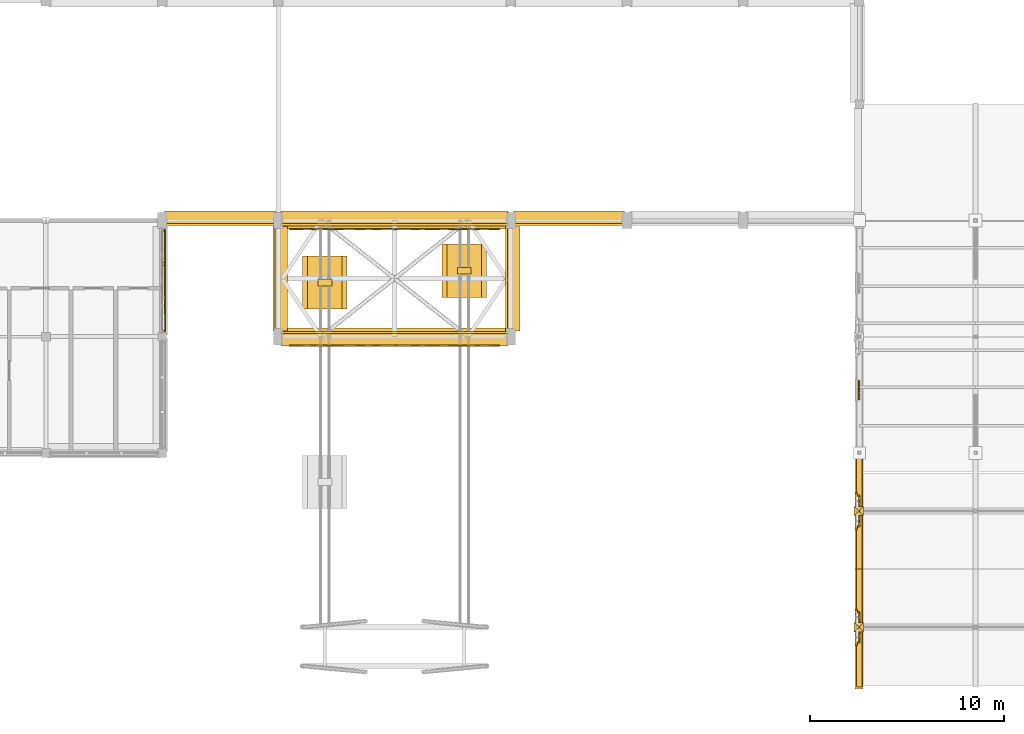
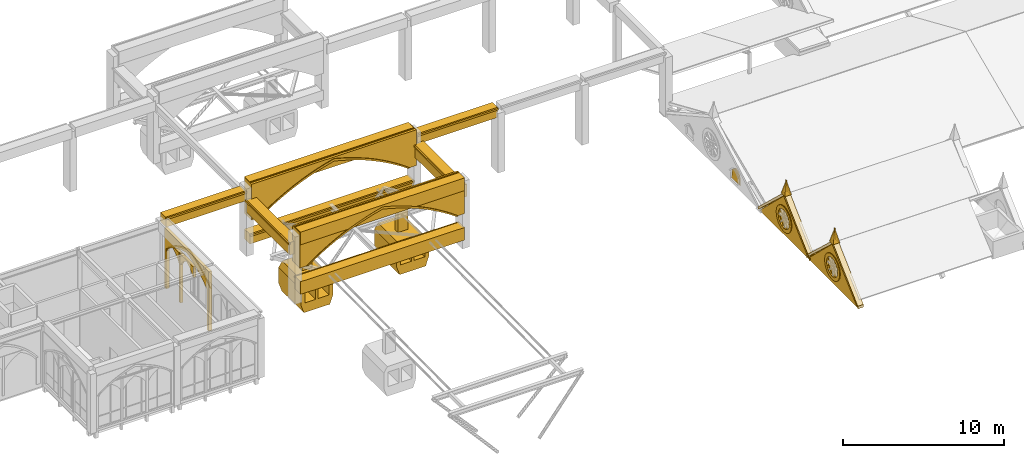
# One storey, part 54 of 59: 46 coverings.
"""IFC4 building model written with IfcOpenShell, lengths in metres."""

import ifcopenshell
import ifcopenshell.guid

model = None  # the IFC model being written
_history = None  # IfcOwnerHistory: only IFC2X3 demands one
_inside = {}  # id of a spatial element -> (the spatial element, [elements in it])
_under = {}  # id of a project, library or spatial element -> (it, [spatial elements below it])
_declared = {}  # id of a project -> (the project, [libraries it declares])
_typed = {}  # id of a type object -> (the type object, [elements of that type])
_made_of = {}  # id of a material, layer set ... -> (it, [elements and type objects made of it])


def new_model(schema):
    """Start an empty IFC model of exactly this schema.

    Asked for "IFC4X3", IfcOpenShell would pick the latest addendum, in which some entities
    have other attributes; the version numbers below select the first issue.
    IFC2X3 requires an IfcOwnerHistory on every rooted entity: one is made here for all.
    """
    global model, _history
    if schema == "IFC4X3":
        model = ifcopenshell.file(schema_version=(4, 3, 0, 0))
    else:
        model = ifcopenshell.file(schema=schema)
    _inside.clear()
    _under.clear()
    _declared.clear()
    _typed.clear()
    _made_of.clear()
    _history = None
    if model.schema == "IFC2X3":
        org = make("IfcOrganization", Name="unknown")
        user = make(
            "IfcPersonAndOrganization",
            ThePerson=make("IfcPerson", FamilyName="unknown"),
            TheOrganization=org,
        )
        app = make(
            "IfcApplication",
            ApplicationDeveloper=org,
            Version="unknown",
            ApplicationFullName="unknown",
            ApplicationIdentifier="unknown",
        )
        _history = make(
            "IfcOwnerHistory",
            OwningUser=user,
            OwningApplication=app,
            ChangeAction="ADDED",
            CreationDate=0,
        )
    return model


def make(cls, **values):
    """One entity of the class cls with the attributes given. An attribute that is None is left unset."""
    return model.create_entity(
        cls, **{name: value for name, value in values.items() if value is not None}
    )


def rooted(cls, **values):
    """An entity with a GlobalId (a new one), such as an element, a storey or a relation."""
    return make(cls, GlobalId=ifcopenshell.guid.new(), OwnerHistory=_history, **values)


def si_unit(unit_type, name, prefix=None):
    """IfcSIUnit, for example si_unit("LENGTHUNIT", "METRE", prefix="MILLI")."""
    return make("IfcSIUnit", UnitType=unit_type, Prefix=prefix, Name=name)


def assignment(units):
    """IfcUnitAssignment: the units of a project."""
    return None if units is None else make("IfcUnitAssignment", Units=units)


def point(xyz):
    """IfcCartesianPoint."""
    return None if xyz is None else make("IfcCartesianPoint", Coordinates=xyz)


def direction(xyz):
    """IfcDirection."""
    return None if xyz is None else make("IfcDirection", DirectionRatios=xyz)


def frame(location, z_axis=None, x_axis=None):
    """IfcAxis2Placement3D, a coordinate frame: its origin and axes. An axis left out is left unset."""
    return make(
        "IfcAxis2Placement3D",
        Location=point(location),
        Axis=direction(z_axis),
        RefDirection=direction(x_axis),
    )


def frame_2d(location, x_axis=None):
    """IfcAxis2Placement2D, a coordinate frame in the plane: its origin and x axis."""
    return make(
        "IfcAxis2Placement2D", Location=point(location), RefDirection=direction(x_axis)
    )


def origin():
    """The frame at (0, 0, 0) with its axes left unset."""
    return frame((0.0, 0.0, 0.0))


def origin_2d():
    """The frame at (0, 0) in the plane with its x axis left unset."""
    return frame_2d((0.0, 0.0))


def place(relative_to, where):
    """IfcLocalPlacement: puts the frame where relative to a parent placement (None: the world)."""
    return make(
        "IfcLocalPlacement", PlacementRelTo=relative_to, RelativePlacement=where
    )


def context(
    kind, dimensions, precision=None, world=None, true_north=None, identifier=None
):
    """IfcGeometricRepresentationContext, for example the 3D "Model" context."""
    return make(
        "IfcGeometricRepresentationContext",
        ContextIdentifier=identifier,
        ContextType=kind,
        CoordinateSpaceDimension=dimensions,
        Precision=precision,
        WorldCoordinateSystem=world,
        TrueNorth=true_north,
    )


def subcontext(parent, identifier, kind, view, scale=None):
    """IfcGeometricRepresentationSubContext, for example "Body" below "Model"."""
    return make(
        "IfcGeometricRepresentationSubContext",
        ContextIdentifier=identifier,
        ContextType=kind,
        ParentContext=parent,
        TargetScale=scale,
        TargetView=view,
    )


def project(units=None, contexts=None):
    """IfcProject with its units and contexts."""
    return rooted(
        "IfcProject",
        Name="project",
        RepresentationContexts=contexts,
        UnitsInContext=assignment(units),
    )


def spatial(cls, under=None, at=None, **own):
    """A site, building, storey or space (cls), placed at a placement, below another one or the project."""
    s = rooted(cls, ObjectPlacement=at, **own)
    if under is not None:
        _under.setdefault(under.id(), (under, []))[1].append(s)
    return s


def polyline(points):
    """IfcPolyline through the points."""
    return make("IfcPolyline", Points=[point(p) for p in points])


def profile(cls, at=None, kind="AREA", **sizes):
    """A parametric profile (cls). Its sizes go by their IFC names, for example OverallWidth=200.0."""
    return make(cls, ProfileType=kind, Position=at, **sizes)


def rectangle(**sizes):
    """IfcRectangleProfileDef."""
    return profile("IfcRectangleProfileDef", **sizes)


def outline(outer, holes=None, kind="AREA"):
    """IfcArbitraryClosedProfileDef: a profile drawn as a closed curve; with holes, ...WithVoids."""
    if holes is None:
        return make("IfcArbitraryClosedProfileDef", ProfileType=kind, OuterCurve=outer)
    return make(
        "IfcArbitraryProfileDefWithVoids",
        ProfileType=kind,
        OuterCurve=outer,
        InnerCurves=holes,
    )


def extrude(swept, where, along, depth):
    """IfcExtrudedAreaSolid: the profile swept, set in the frame where, extruded along a direction by depth."""
    return make(
        "IfcExtrudedAreaSolid",
        SweptArea=swept,
        Position=where,
        ExtrudedDirection=direction(along),
        Depth=depth,
    )


def shape(context_of_items, identifier, shape_type, items):
    """IfcShapeRepresentation: the items that make up one representation, for example the "Body"."""
    return make(
        "IfcShapeRepresentation",
        ContextOfItems=context_of_items,
        RepresentationIdentifier=identifier,
        RepresentationType=shape_type,
        Items=items,
    )


def material(Name=None, Category=None):
    """IfcMaterial."""
    return make("IfcMaterial", Name=Name, Category=Category)


def made_of(thing, what):
    """Note that an element or type object is made of a material, layer set ...; save() writes the relation."""
    if what is not None:
        _made_of.setdefault(what.id(), (what, []))[1].append(thing)
    return thing


def type_object(cls, material=None, **own):
    """A type object (cls), such as IfcWallType, which elements share."""
    return made_of(rooted(cls, **own), material)


def element(
    cls,
    number,
    at=None,
    inside=None,
    cuts=None,
    type_object=None,
    material=None,
    context=None,
    identifier="Body",
    shape_type=None,
    held_by="IfcProductDefinitionShape",
    body=None,
    shapes=None,
    **own,
):
    """One element of the class cls, such as IfcWall. Its Tag is "e" and its number.

    at: its placement. inside: the storey or other place that contains it. cuts: it is an
    opening in that element (IfcRelVoidsElement). A single representation is given by context,
    identifier, shape_type and body (its items); several are given by shapes. held_by: the class
    of the entity that holds the representations. save() writes the other relations.
    """
    e = rooted(cls, Tag="e%d" % number, ObjectPlacement=at, **own)
    if body is not None:
        shapes = [shape(context, identifier, shape_type, body)]
    if shapes is not None:
        e.Representation = make(held_by, Representations=shapes)
    if inside is not None:
        _inside.setdefault(inside.id(), (inside, []))[1].append(e)
    if cuts is not None:
        rooted(
            "IfcRelVoidsElement", RelatingBuildingElement=cuts, RelatedOpeningElement=e
        )
    if type_object is not None:
        _typed.setdefault(type_object.id(), (type_object, []))[1].append(e)
    return made_of(e, material)


def aggregate(whole, parts):
    """IfcRelAggregates: a whole, such as a stair, and the parts it consists of."""
    return rooted("IfcRelAggregates", RelatingObject=whole, RelatedObjects=parts)


def save(model, path):
    """Write the relations noted so far, then the file.

    IfcRelAggregates (storeys below a building ...), IfcRelContainedInSpatialStructure (elements
    in a storey), IfcRelDefinesByType, IfcRelAssociatesMaterial and IfcRelDeclares: one each for
    every whole, place, type object, material and project.
    """
    for whole, parts in _under.values():
        aggregate(whole, parts)
    for where, things in _inside.values():
        rooted(
            "IfcRelContainedInSpatialStructure",
            RelatedElements=things,
            RelatingStructure=where,
        )
    for kind, things in _typed.values():
        rooted("IfcRelDefinesByType", RelatedObjects=things, RelatingType=kind)
    for what, things in _made_of.values():
        rooted("IfcRelAssociatesMaterial", RelatedObjects=things, RelatingMaterial=what)
    for by, libraries in _declared.values():
        rooted("IfcRelDeclares", RelatingContext=by, RelatedDefinitions=libraries)
    model.write(path)


model = new_model("IFC4")

# Units and contexts
model_context = context("Model", 3, precision=1e-05, world=origin(), true_north=direction((0.0, 1.0)))
body_context = subcontext(model_context, "Body", "Model", "MODEL_VIEW")
ifc_project = project(units=[si_unit("LENGTHUNIT", "METRE"), si_unit("AREAUNIT", "SQUARE_METRE"), si_unit("VOLUMEUNIT", "CUBIC_METRE"), si_unit("PLANEANGLEUNIT", "RADIAN"), si_unit("MASSUNIT", "GRAM", prefix="KILO")], contexts=[model_context])

# Site, building, storey
site_placement = place(None, origin())
site = spatial("IfcSite", under=ifc_project, at=site_placement, CompositionType="ELEMENT")
building_placement = place(site_placement, origin())
building = spatial("IfcBuilding", under=site, at=building_placement, Name="Cumevento Cable Car Station", CompositionType="ELEMENT")
storey_placement = place(building_placement, frame((0.0, 0.0, 18.0)))
storey = spatial("IfcBuildingStorey", under=building, at=storey_placement, Name="L05", CompositionType="ELEMENT", Elevation=18.0)

# Coverings
ifc_material = material(Name="Gnaisse Facoidal Stone Ashlar 85 MPa", Category="masonry")
covering_type = type_object("IfcCoveringType", Name="Gnaisse Ashlar Cladding CV-CL01", PredefinedType="CLADDING", material=ifc_material)
covering_1_placement = place(storey_placement, frame((85.0, 45.14990234375, 4.032958984375), z_axis=(0.0, 0.0, 1.0), x_axis=(-1.0, 0.0, 0.0)))
element("IfcCovering", 1, at=covering_1_placement, inside=storey, type_object=covering_type, Name="Gothic Stone Spandrel Stringcourse sc:0811", PredefinedType="CLADDING", context=body_context, shape_type="SweptSolid", body=[
    extrude(rectangle(XDim=5.739990234375, YDim=0.659912109375, at=origin_2d()), origin(), (0.0, 0.0, 1.0), 0.7470703125),
])
covering_2_placement = place(storey_placement, frame((85.0, 44.79248046875, 4.650146484375), z_axis=(0.0, 0.0, 1.0), x_axis=(-1.0, 0.0, 0.0)))
element("IfcCovering", 2, at=covering_2_placement, inside=storey, type_object=covering_type, Name="Gothic Cornice Dripstone Lip sc:0811", PredefinedType="CLADDING", context=body_context, shape_type="SweptSolid", body=[
    extrude(rectangle(XDim=5.780029296875, YDim=0.114990234375, at=origin_2d()), origin(), (0.0, 0.0, 1.0), 0.1298828125),
])
covering_3_placement = place(storey_placement, frame((103.0, 45.14990234375, 4.032958984375), z_axis=(0.0, 0.0, 1.0), x_axis=(-1.0, 0.0, 0.0)))
element("IfcCovering", 3, at=covering_3_placement, inside=storey, type_object=covering_type, Name="Gothic Stone Spandrel Stringcourse sc:0816", PredefinedType="CLADDING", context=body_context, shape_type="SweptSolid", body=[
    extrude(rectangle(XDim=5.739990234375, YDim=0.659912109375, at=origin_2d()), origin(), (0.0, 0.0, 1.0), 0.7470703125),
])
covering_4_placement = place(storey_placement, frame((103.0, 44.79248046875, 4.650146484375), z_axis=(0.0, 0.0, 1.0), x_axis=(-1.0, 0.0, 0.0)))
element("IfcCovering", 4, at=covering_4_placement, inside=storey, type_object=covering_type, Name="Gothic Cornice Dripstone Lip sc:0816", PredefinedType="CLADDING", context=body_context, shape_type="SweptSolid", body=[
    extrude(rectangle(XDim=5.780029296875, YDim=0.114990234375, at=origin_2d()), origin(), (0.0, 0.0, 1.0), 0.1298828125),
])
covering_5_placement = place(storey_placement, frame((94.0, 45.142578125, 4.423095703125), z_axis=(0.0, 0.0, 1.0), x_axis=(-1.0, 0.0, 0.0)))
element("IfcCovering", 5, at=covering_5_placement, inside=storey, type_object=covering_type, Name="Gothic Stone Spandrel Stringcourse sc:0852", PredefinedType="CLADDING", context=body_context, shape_type="SweptSolid", body=[
    extrude(rectangle(XDim=11.739990234375, YDim=0.675048828125, at=origin_2d()), origin(), (0.0, 0.0, 1.0), 0.95703125),
])
covering_6_placement = place(storey_placement, frame((94.0, 44.777587890625, 5.25), z_axis=(0.0, 0.0, 1.0), x_axis=(-1.0, 0.0, 0.0)))
element("IfcCovering", 6, at=covering_6_placement, inside=storey, type_object=covering_type, Name="Gothic Cornice Dripstone Lip sc:0852", PredefinedType="CLADDING", context=body_context, shape_type="SweptSolid", body=[
    extrude(rectangle(XDim=11.780029296875, YDim=0.114990234375, at=origin_2d()), origin(), (0.0, 0.0, 1.0), 0.1298828125),
])
covering_7_placement = place(storey_placement, frame((94.0, 45.142578125, 0.6728515625), z_axis=(0.0, 0.0, 1.0), x_axis=(-1.0, 0.0, 0.0)))
element("IfcCovering", 7, at=covering_7_placement, inside=storey, type_object=covering_type, Name="Gothic Stone Spandrel Stringcourse sc:0853", PredefinedType="CLADDING", context=body_context, shape_type="SweptSolid", body=[
    extrude(rectangle(XDim=11.739990234375, YDim=0.675048828125, at=origin_2d()), origin(), (0.0, 0.0, 1.0), 0.737060546875),
])
covering_8_placement = place(storey_placement, frame((94.0, 44.777587890625, 1.280029296875), z_axis=(0.0, 0.0, 1.0), x_axis=(-1.0, 0.0, 0.0)))
element("IfcCovering", 8, at=covering_8_placement, inside=storey, type_object=covering_type, Name="Gothic Cornice Dripstone Lip sc:0853", PredefinedType="CLADDING", context=body_context, shape_type="SweptSolid", body=[
    extrude(rectangle(XDim=11.780029296875, YDim=0.114990234375, at=origin_2d()), origin(), (0.0, 0.0, 1.0), 0.1298828125),
])
covering_9_placement = place(storey_placement, frame((88.14306640625, 42.0, 3.2822265625), z_axis=(0.0, 0.0, 1.0), x_axis=(0.0, 1.0, 0.0)))
element("IfcCovering", 9, at=covering_9_placement, inside=storey, type_object=covering_type, Name="Gothic Stone Spandrel Stringcourse sc:0872", PredefinedType="CLADDING", context=body_context, shape_type="SweptSolid", body=[
    extrude(rectangle(XDim=5.389892578125, YDim=0.674072265625, at=origin_2d()), origin(), (0.0, 0.0, 1.0), 0.947998046875),
])
covering_10_placement = place(storey_placement, frame((87.778564453125, 42.0, 4.10009765625), z_axis=(0.0, 0.0, 1.0), x_axis=(0.0, 1.0, 0.0)))
element("IfcCovering", 10, at=covering_10_placement, inside=storey, type_object=covering_type, Name="Gothic Cornice Dripstone Lip sc:0872", PredefinedType="CLADDING", context=body_context, shape_type="SweptSolid", body=[
    extrude(rectangle(XDim=5.429931640625, YDim=0.114990234375, at=origin_2d()), origin(), (0.0, 0.0, 1.0), 0.1298828125),
])
covering_11_placement = place(storey_placement, frame((100.14306640625, 42.0, 3.2822265625), z_axis=(0.0, 0.0, 1.0), x_axis=(0.0, 1.0, 0.0)))
element("IfcCovering", 11, at=covering_11_placement, inside=storey, type_object=covering_type, Name="Gothic Stone Spandrel Stringcourse sc:0873", PredefinedType="CLADDING", context=body_context, shape_type="SweptSolid", body=[
    extrude(rectangle(XDim=5.389892578125, YDim=0.674072265625, at=origin_2d()), origin(), (0.0, 0.0, 1.0), 0.947998046875),
])
covering_12_placement = place(storey_placement, frame((99.778564453125, 42.0, 4.10009765625), z_axis=(0.0, 0.0, 1.0), x_axis=(0.0, 1.0, 0.0)))
element("IfcCovering", 12, at=covering_12_placement, inside=storey, type_object=covering_type, Name="Gothic Cornice Dripstone Lip sc:0873", PredefinedType="CLADDING", context=body_context, shape_type="SweptSolid", body=[
    extrude(rectangle(XDim=5.429931640625, YDim=0.114990234375, at=origin_2d()), origin(), (0.0, 0.0, 1.0), 0.1298828125),
])
covering_13_placement = place(storey_placement, frame((94.0, 38.857421875, 4.423095703125), z_axis=(0.0, 0.0, 1.0), x_axis=(1.0, 0.0, 0.0)))
element("IfcCovering", 13, at=covering_13_placement, inside=storey, type_object=covering_type, Name="Gothic Stone Spandrel Stringcourse sc:0874", PredefinedType="CLADDING", context=body_context, shape_type="SweptSolid", body=[
    extrude(rectangle(XDim=11.739990234375, YDim=0.675048828125, at=origin_2d()), origin(), (0.0, 0.0, 1.0), 0.95703125),
])
covering_14_placement = place(storey_placement, frame((94.0, 39.222412109375, 5.25), z_axis=(0.0, 0.0, 1.0), x_axis=(1.0, 0.0, 0.0)))
element("IfcCovering", 14, at=covering_14_placement, inside=storey, type_object=covering_type, Name="Gothic Cornice Dripstone Lip sc:0874", PredefinedType="CLADDING", context=body_context, shape_type="SweptSolid", body=[
    extrude(rectangle(XDim=11.780029296875, YDim=0.114990234375, at=origin_2d()), origin(), (0.0, 0.0, 1.0), 0.1298828125),
])
covering_15_placement = place(storey_placement, frame((94.0, 38.857421875, 0.673095703125), z_axis=(0.0, 0.0, 1.0), x_axis=(1.0, 0.0, 0.0)))
element("IfcCovering", 15, at=covering_15_placement, inside=storey, type_object=covering_type, Name="Gothic Stone Spandrel Stringcourse sc:0875", PredefinedType="CLADDING", context=body_context, shape_type="SweptSolid", body=[
    extrude(rectangle(XDim=11.739990234375, YDim=0.675048828125, at=origin_2d()), origin(), (0.0, 0.0, 1.0), 0.95703125),
])
covering_16_placement = place(storey_placement, frame((94.0, 39.222412109375, 1.5), z_axis=(0.0, 0.0, 1.0), x_axis=(1.0, 0.0, 0.0)))
element("IfcCovering", 16, at=covering_16_placement, inside=storey, type_object=covering_type, Name="Gothic Cornice Dripstone Lip sc:0875", PredefinedType="CLADDING", context=body_context, shape_type="SweptSolid", body=[
    extrude(rectangle(XDim=11.780029296875, YDim=0.114990234375, at=origin_2d()), origin(), (0.0, 0.0, 1.0), 0.1298828125),
])
covering_17_placement = place(storey_placement, frame((99.449951171875, 39.0, 2.64990234375), z_axis=(0.0, 0.0, 1.0), x_axis=(-1.0, 0.0, 0.0)))
element("IfcCovering", 17, at=covering_17_placement, inside=storey, type_object=covering_type, Name="Gothic Ogival Pointed-Arch Stone Spandrel ptl_mouth_arch:2:outer", PredefinedType="CLADDING", context=body_context, shape_type="SweptSolid", body=[
    extrude(outline(polyline([(-0.449951171875, 0.0), (-0.449951171875, 2.699951171875), (11.35009765625, 2.699951171875), (11.35009765625, 0.0), (10.739990234375, 0.0), (10.2587890625, 0.333740234375), (9.76513671875, 0.6484375), (9.25927734375, 0.943115234375), (8.7421875, 1.2177734375), (8.214599609375, 1.471923828125), (7.677490234375, 1.704833984375), (7.131591796875, 1.91650390625), (6.577880859375, 2.1064453125), (6.01708984375, 2.2744140625), (5.449951171875, 2.419921875), (4.8828125, 2.2744140625), (4.322021484375, 2.1064453125), (3.768310546875, 1.91650390625), (3.222412109375, 1.704833984375), (2.685302734375, 1.471923828125), (2.15771484375, 1.2177734375), (1.640625, 0.943115234375), (1.134765625, 0.6484375), (0.64111328125, 0.333740234375), (0.159912109375, 0.0), (-0.449951171875, 0.0)])), frame((0.0, 0.43994140625, 0.0), z_axis=(0.0, -1.0, 0.0), x_axis=(1.0, 0.0, 0.0)), (0.0, 0.0, 1.0), 0.8798828125),
])
covering_18_placement = place(storey_placement, frame((99.449951171875, 39.0, 2.64990234375), z_axis=(0.0, 0.0, 1.0), x_axis=(-1.0, 0.0, 0.0)))
element("IfcCovering", 18, at=covering_18_placement, inside=storey, type_object=covering_type, Name="Gothic Pointed Archivolt Hood Moulding ptl_mouth_arch:2:outer", PredefinedType="CLADDING", context=body_context, shape_type="SweptSolid", body=[
    extrude(outline(polyline([(0.159912109375, 0.0), (0.64111328125, 0.333740234375), (1.134765625, 0.6484375), (1.640625, 0.943115234375), (2.15771484375, 1.2177734375), (2.685302734375, 1.471923828125), (3.222412109375, 1.704833984375), (3.768310546875, 1.91650390625), (4.322021484375, 2.1064453125), (4.8828125, 2.2744140625), (5.449951171875, 2.419921875), (6.01708984375, 2.2744140625), (6.577880859375, 2.1064453125), (7.131591796875, 1.91650390625), (7.677490234375, 1.704833984375), (8.214599609375, 1.471923828125), (8.7421875, 1.2177734375), (9.25927734375, 0.943115234375), (9.76513671875, 0.6484375), (10.2587890625, 0.333740234375), (10.739990234375, 0.0), (10.8798828125, 0.0), (10.390380859375, 0.357177734375), (9.886474609375, 0.694091796875), (9.369384765625, 1.010009765625), (8.83984375, 1.304443359375), (8.29833984375, 1.576904296875), (7.746337890625, 1.826904296875), (7.1845703125, 2.05419921875), (6.614013671875, 2.258056640625), (6.035400390625, 2.4384765625), (5.449951171875, 2.594970703125), (4.864501953125, 2.4384765625), (4.285888671875, 2.258056640625), (3.71533203125, 2.05419921875), (3.153564453125, 1.826904296875), (2.6015625, 1.576904296875), (2.06005859375, 1.304443359375), (1.530517578125, 1.010009765625), (1.013427734375, 0.694091796875), (0.509521484375, 0.357177734375), (0.02001953125, 0.0), (0.159912109375, 0.0)])), frame((0.0, 0.48193359375, 0.0), z_axis=(0.0, -1.0, 0.0), x_axis=(1.0, 0.0, 0.0)), (0.0, 0.0, 1.0), 0.06689453125),
])
covering_19_placement = place(storey_placement, frame((99.449951171875, 45.0, 2.64990234375), z_axis=(0.0, 0.0, 1.0), x_axis=(-1.0, 0.0, 0.0)))
element("IfcCovering", 19, at=covering_19_placement, inside=storey, type_object=covering_type, Name="Gothic Ogival Pointed-Arch Stone Spandrel ptl_mouth_arch:2:inner", PredefinedType="CLADDING", context=body_context, shape_type="SweptSolid", body=[
    extrude(outline(polyline([(-0.449951171875, 0.0), (-0.449951171875, 2.699951171875), (11.35009765625, 2.699951171875), (11.35009765625, 0.0), (10.739990234375, 0.0), (10.2587890625, 0.333740234375), (9.76513671875, 0.6484375), (9.25927734375, 0.943115234375), (8.7421875, 1.2177734375), (8.214599609375, 1.471923828125), (7.677490234375, 1.704833984375), (7.131591796875, 1.91650390625), (6.577880859375, 2.1064453125), (6.01708984375, 2.2744140625), (5.449951171875, 2.419921875), (4.8828125, 2.2744140625), (4.322021484375, 2.1064453125), (3.768310546875, 1.91650390625), (3.222412109375, 1.704833984375), (2.685302734375, 1.471923828125), (2.15771484375, 1.2177734375), (1.640625, 0.943115234375), (1.134765625, 0.6484375), (0.64111328125, 0.333740234375), (0.159912109375, 0.0), (-0.449951171875, 0.0)])), frame((0.0, 0.43994140625, 0.0), z_axis=(0.0, -1.0, 0.0), x_axis=(1.0, 0.0, 0.0)), (0.0, 0.0, 1.0), 0.8798828125),
])
covering_20_placement = place(storey_placement, frame((99.449951171875, 45.0, 2.64990234375), z_axis=(0.0, 0.0, 1.0), x_axis=(-1.0, 0.0, 0.0)))
element("IfcCovering", 20, at=covering_20_placement, inside=storey, type_object=covering_type, Name="Gothic Pointed Archivolt Hood Moulding ptl_mouth_arch:2:inner", PredefinedType="CLADDING", context=body_context, shape_type="SweptSolid", body=[
    extrude(outline(polyline([(0.159912109375, 0.0), (0.64111328125, 0.333740234375), (1.134765625, 0.6484375), (1.640625, 0.943115234375), (2.15771484375, 1.2177734375), (2.685302734375, 1.471923828125), (3.222412109375, 1.704833984375), (3.768310546875, 1.91650390625), (4.322021484375, 2.1064453125), (4.8828125, 2.2744140625), (5.449951171875, 2.419921875), (6.01708984375, 2.2744140625), (6.577880859375, 2.1064453125), (7.131591796875, 1.91650390625), (7.677490234375, 1.704833984375), (8.214599609375, 1.471923828125), (8.7421875, 1.2177734375), (9.25927734375, 0.943115234375), (9.76513671875, 0.6484375), (10.2587890625, 0.333740234375), (10.739990234375, 0.0), (10.8798828125, 0.0), (10.390380859375, 0.357177734375), (9.886474609375, 0.694091796875), (9.369384765625, 1.010009765625), (8.83984375, 1.304443359375), (8.29833984375, 1.576904296875), (7.746337890625, 1.826904296875), (7.1845703125, 2.05419921875), (6.614013671875, 2.258056640625), (6.035400390625, 2.4384765625), (5.449951171875, 2.594970703125), (4.864501953125, 2.4384765625), (4.285888671875, 2.258056640625), (3.71533203125, 2.05419921875), (3.153564453125, 1.826904296875), (2.6015625, 1.576904296875), (2.06005859375, 1.304443359375), (1.530517578125, 1.010009765625), (1.013427734375, 0.694091796875), (0.509521484375, 0.357177734375), (0.02001953125, 0.0), (0.159912109375, 0.0)])), frame((0.0, 0.48193359375, 0.0), z_axis=(0.0, -1.0, 0.0), x_axis=(1.0, 0.0, 0.0)), (0.0, 0.0, 1.0), 0.06689453125),
])
placement_1 = place(storey_placement, frame((82.0, 44.574951171875, -0.320068359375), z_axis=(0.0, 0.0, 1.0), x_axis=(0.0, -1.0, 0.0)))
element("IfcCovering", 21, at=placement_1, inside=storey, type_object=covering_type, Name="Gothic Ogival Pointed-Arch Stone Spandrel cw_ogival:0196", PredefinedType="CLADDING", context=body_context, shape_type="SweptSolid", body=[
    extrude(outline(polyline([(-0.080078125, 0.0), (-0.080078125, 4.492919921875), (5.429931640625, 4.492919921875), (5.429931640625, 0.0), (5.18994140625, 0.0), (5.18994140625, 3.069091796875), (4.90673828125, 3.278076171875), (4.61279296875, 3.471923828125), (4.30908203125, 3.650146484375), (3.99658203125, 3.8125), (3.676025390625, 3.958251953125), (3.348388671875, 4.087158203125), (3.014404296875, 4.198974609375), (2.675048828125, 4.29296875), (2.335693359375, 4.198974609375), (2.001708984375, 4.087158203125), (1.674072265625, 3.958251953125), (1.353515625, 3.8125), (1.041015625, 3.650146484375), (0.7373046875, 3.471923828125), (0.443359375, 3.278076171875), (0.159912109375, 3.069091796875), (0.159912109375, 0.0), (-0.080078125, 0.0)])), frame((0.0, 0.139892578125, 0.0), z_axis=(0.0, -1.0, 0.0), x_axis=(1.0, 0.0, 0.0)), (0.0, 0.0, 1.0), 0.219970703125),
])
covering_22_placement = place(storey_placement, frame((82.0, 44.574951171875, 2.7490234375), z_axis=(0.0, 0.0, 1.0), x_axis=(0.0, -1.0, 0.0)))
element("IfcCovering", 22, at=covering_22_placement, inside=storey, type_object=covering_type, Name="Gothic Pointed Archivolt Hood Moulding cw_ogival:0196", PredefinedType="CLADDING", context=body_context, shape_type="SweptSolid", body=[
    extrude(outline(polyline([(0.159912109375, 0.0), (0.443359375, 0.208984375), (0.7373046875, 0.40283203125), (1.041015625, 0.5810546875), (1.353515625, 0.743408203125), (1.674072265625, 0.88916015625), (2.001708984375, 1.01806640625), (2.335693359375, 1.1298828125), (2.675048828125, 1.223876953125), (3.014404296875, 1.1298828125), (3.348388671875, 1.01806640625), (3.676025390625, 0.88916015625), (3.99658203125, 0.743408203125), (4.30908203125, 0.5810546875), (4.61279296875, 0.40283203125), (4.90673828125, 0.208984375), (5.18994140625, 0.0), (5.300048828125, 0.0), (5.00830078125, 0.231689453125), (4.7041015625, 0.447021484375), (4.388671875, 0.645263671875), (4.062744140625, 0.82568359375), (3.7275390625, 0.988037109375), (3.3837890625, 1.1318359375), (3.032470703125, 1.25634765625), (2.675048828125, 1.361328125), (2.317626953125, 1.25634765625), (1.96630859375, 1.1318359375), (1.62255859375, 0.988037109375), (1.287353515625, 0.82568359375), (0.96142578125, 0.645263671875), (0.64599609375, 0.447021484375), (0.341796875, 0.231689453125), (0.050048828125, 0.0), (0.159912109375, 0.0)])), frame((0.0, 0.181884765625, 0.0), z_axis=(0.0, -1.0, 0.0), x_axis=(1.0, 0.0, 0.0)), (0.0, 0.0, 1.0), 0.06689453125),
])
element("IfcCovering", 23, at=placement_1, inside=storey, type_object=covering_type, Name="Gothic Bifora Stone Colonnette cw_ogival:0196 #1", PredefinedType="CLADDING", context=body_context, shape_type="SweptSolid", body=[
    extrude(outline(polyline([(1.736572265625, -0.02001953125), (1.88671875, -0.02001953125), (1.88671875, 3.70556640625), (1.736572265625, 3.70556640625), (1.736572265625, -0.02001953125)])), frame((0.0, 0.1279296875, 0.0), z_axis=(0.0, -1.0, 0.0), x_axis=(1.0, 0.0, 0.0)), (0.0, 0.0, 1.0), 0.205078125),
])
for number, where, z_axis, x_axis, name in (
    (24, (82.0, 44.445068359375, 2.569091796875), (0.0, 0.0, 1.0), (0.0, -1.0, 0.0), "Gothic Ogival Pointed-Arch Stone Spandrel cw_ogival:0196:sub:0"),
    (25, (82.0, 42.71826171875, 2.569091796875), (0.0, 0.0, 1.0), (0.0, -1.0, 0.0), "Gothic Ogival Pointed-Arch Stone Spandrel cw_ogival:0196:sub:1"),
):
    element("IfcCovering", number, at=place(storey_placement, frame(where, z_axis=z_axis, x_axis=x_axis)), inside=storey, type_object=covering_type, Name=name, PredefinedType="CLADDING", context=body_context, shape_type="SweptSolid", body=[
        extrude(outline(polyline([(-0.02001953125, 0.0), (-0.02001953125, 0.81640625), (1.65673828125, 0.81640625), (1.65673828125, 0.0), (1.5966796875, 0.0), (1.50244140625, 0.150146484375), (1.391845703125, 0.288818359375), (1.2666015625, 0.4140625), (1.1279296875, 0.52490234375), (0.97802734375, 0.619384765625), (0.818359375, 0.6962890625), (0.65869140625, 0.619384765625), (0.5087890625, 0.52490234375), (0.3701171875, 0.4140625), (0.244873046875, 0.288818359375), (0.13427734375, 0.150146484375), (0.0400390625, 0.0), (-0.02001953125, 0.0)])), frame((0.0, 0.1240234375, 0.0), z_axis=(0.0, -1.0, 0.0), x_axis=(1.0, 0.0, 0.0)), (0.0, 0.0, 1.0), 0.199951171875),
    ])
covering_24_placement = place(storey_placement, frame((118.0, 33.0, 0.0), z_axis=(0.0, 0.0, 1.0), x_axis=(0.0, 1.0, 0.0)))
element("IfcCovering", 26, at=covering_24_placement, inside=storey, type_object=covering_type, Name="Gothic Gable Recessed Tracery Backing depot_garage_W lancet_0", PredefinedType="CLADDING", context=body_context, shape_type="SweptSolid", body=[
    extrude(outline(polyline([(2.735107421875, 0.14990234375), (3.7451171875, 0.14990234375), (3.66259765625, 0.847412109375), (3.569580078125, 0.933349609375), (3.467041015625, 1.008056640625), (3.356689453125, 1.070556640625), (3.239990234375, 1.11962890625), (3.123291015625, 1.070556640625), (3.012939453125, 1.008056640625), (2.910400390625, 0.933349609375), (2.8173828125, 0.847412109375), (2.735107421875, 0.14990234375)])), frame((0.0, 0.050048828125, 0.0), z_axis=(0.0, -1.0, 0.0), x_axis=(1.0, 0.0, 0.0)), (0.0, 0.0, 1.0), 0.074951171875),
])
placement_2 = place(storey_placement, frame((118.0, 21.0, 0.0), z_axis=(0.0, 0.0, 1.0), x_axis=(0.0, 1.0, 0.0)))
element("IfcCovering", 27, at=placement_2, inside=storey, type_object=covering_type, Name="Gothic Stone Gable Tympanum wing_B_V4b_core_W", PredefinedType="CLADDING", context=body_context, shape_type="SweptSolid", body=[
    extrude(outline(polyline([(-0.080078125, -0.06005859375), (6.080078125, -0.06005859375), (3.0, 2.909912109375), (-0.080078125, -0.06005859375)]), holes=[polyline([(3.76416015625, 1.160400390625), (3.7060546875, 1.45263671875), (3.540283203125, 1.70068359375), (3.29248046875, 1.8662109375), (3.0, 1.92431640625), (2.70751953125, 1.8662109375), (2.459716796875, 1.70068359375), (2.2939453125, 1.45263671875), (2.23583984375, 1.160400390625), (2.2939453125, 0.867919921875), (2.459716796875, 0.6201171875), (2.70751953125, 0.454345703125), (3.0, 0.396240234375), (3.29248046875, 0.454345703125), (3.540283203125, 0.6201171875), (3.7060546875, 0.867919921875), (3.76416015625, 1.160400390625)])]), frame((0.0, 0.159912109375, 0.0), z_axis=(0.0, -1.0, 0.0), x_axis=(1.0, 0.0, 0.0)), (0.0, 0.0, 1.0), 0.300048828125),
])
element("IfcCovering", 28, at=placement_2, inside=storey, type_object=covering_type, Name="Gothic Gable Recessed Tracery Backing wing_B_V4b_core_W rose", PredefinedType="CLADDING", context=body_context, shape_type="SweptSolid", body=[
    extrude(outline(polyline([(3.80419921875, 1.160400390625), (3.742919921875, 1.468017578125), (3.568603515625, 1.72900390625), (3.3076171875, 1.903076171875), (3.0, 1.96435546875), (2.6923828125, 1.903076171875), (2.431396484375, 1.72900390625), (2.257080078125, 1.468017578125), (2.19580078125, 1.160400390625), (2.257080078125, 0.8525390625), (2.431396484375, 0.591796875), (2.6923828125, 0.41748046875), (3.0, 0.356201171875), (3.3076171875, 0.41748046875), (3.568603515625, 0.591796875), (3.742919921875, 0.8525390625), (3.80419921875, 1.160400390625)])), frame((0.0, 0.050048828125, 0.0), z_axis=(0.0, -1.0, 0.0), x_axis=(1.0, 0.0, 0.0)), (0.0, 0.0, 1.0), 0.074951171875),
])
element("IfcCovering", 29, at=placement_2, inside=storey, type_object=covering_type, Name="Gothic 16-Sided Stone Rose Window Ring wing_B_V4b_core_W", PredefinedType="CLADDING", context=body_context, shape_type="SweptSolid", body=[
    extrude(outline(polyline([(3.944091796875, 1.160400390625), (3.872314453125, 1.521484375), (3.66748046875, 1.827880859375), (3.361328125, 2.032470703125), (3.0, 2.1044921875), (2.638671875, 2.032470703125), (2.33251953125, 1.827880859375), (2.127685546875, 1.521484375), (2.055908203125, 1.160400390625), (2.127685546875, 0.799072265625), (2.33251953125, 0.49267578125), (2.638671875, 0.2880859375), (3.0, 0.21630859375), (3.361328125, 0.2880859375), (3.66748046875, 0.49267578125), (3.872314453125, 0.799072265625), (3.944091796875, 1.160400390625)]), holes=[polyline([(3.694091796875, 1.160400390625), (3.641357421875, 1.426025390625), (3.49072265625, 1.651123046875), (3.265625, 1.801513671875), (3.0, 1.8544921875), (2.734375, 1.801513671875), (2.50927734375, 1.651123046875), (2.358642578125, 1.426025390625), (2.305908203125, 1.160400390625), (2.358642578125, 0.894775390625), (2.50927734375, 0.66943359375), (2.734375, 0.51904296875), (3.0, 0.46630859375), (3.265625, 0.51904296875), (3.49072265625, 0.66943359375), (3.641357421875, 0.894775390625), (3.694091796875, 1.160400390625)])]), frame((0.0, 0.215087890625, 0.0), z_axis=(0.0, -1.0, 0.0), x_axis=(1.0, 0.0, 0.0)), (0.0, 0.0, 1.0), 0.110107421875),
])
element("IfcCovering", 30, at=placement_2, inside=storey, type_object=covering_type, Name="Raking Gothic Stone Gable Coping wing_B_V4b_core_W", PredefinedType="CLADDING", context=body_context, shape_type="SweptSolid", body=[
    extrude(outline(polyline([(-0.199951171875, -0.06005859375), (3.0, 2.909912109375), (6.199951171875, -0.06005859375), (6.199951171875, 0.139892578125), (3.0, 3.14990234375), (-0.199951171875, 0.139892578125), (-0.199951171875, -0.06005859375)])), frame((0.0, 0.219970703125, 0.0), z_axis=(0.0, -1.0, 0.0), x_axis=(1.0, 0.0, 0.0)), (0.0, 0.0, 1.0), 0.39990234375),
])
for number, where, z_axis, x_axis, name in (
    (31, (118.2099609375, 23.760009765625, 3.010009765625), (0.97486272659, 0.0, 0.222806338116), (0.0, 1.0, 0.0), "Gothic Gable Finial Spire Facet 1 wing_B_V4b_core_W"),
    (32, (118.2099609375, 24.239990234375, 3.010009765625), (0.0, 0.97486272659, 0.222806338116), (-1.0, 0.0, 0.0), "Gothic Gable Finial Spire Facet 2 wing_B_V4b_core_W"),
    (33, (117.72998046875, 24.239990234375, 3.010009765625), (-0.97486272659, 0.0, 0.222806338116), (0.0, -1.0, 0.0), "Gothic Gable Finial Spire Facet 3 wing_B_V4b_core_W"),
    (34, (117.72998046875, 23.760009765625, 3.010009765625), (0.0, -0.97486272659, 0.222806338116), (1.0, 0.0, 0.0), "Gothic Gable Finial Spire Facet 4 wing_B_V4b_core_W"),
):
    element("IfcCovering", number, at=place(storey_placement, frame(where, z_axis=z_axis, x_axis=x_axis)), inside=storey, type_object=covering_type, Name=name, PredefinedType="CLADDING", context=body_context, shape_type="SweptSolid", body=[
        extrude(outline(polyline([(0.0, 0.0), (0.47998046875, 0.0), (0.239990234375, 1.0771248089437238), (0.0, 0.0)])), origin(), (0.0, 0.0, -1.0), 0.06494140625),
    ])
placement_3 = place(storey_placement, frame((118.0, 27.0, 0.0), z_axis=(0.0, 0.0, 1.0), x_axis=(0.0, 1.0, 0.0)))
element("IfcCovering", 35, at=placement_3, inside=storey, type_object=covering_type, Name="Gothic Stone Gable Tympanum wing_B_V4b_W", PredefinedType="CLADDING", context=body_context, shape_type="SweptSolid", body=[
    extrude(outline(polyline([(-0.080078125, -0.06005859375), (6.080078125, -0.06005859375), (3.0, 2.909912109375), (-0.080078125, -0.06005859375)]), holes=[polyline([(3.76416015625, 1.160400390625), (3.7060546875, 1.45263671875), (3.540283203125, 1.70068359375), (3.29248046875, 1.8662109375), (3.0, 1.92431640625), (2.70751953125, 1.8662109375), (2.459716796875, 1.70068359375), (2.2939453125, 1.45263671875), (2.23583984375, 1.160400390625), (2.2939453125, 0.867919921875), (2.459716796875, 0.6201171875), (2.70751953125, 0.454345703125), (3.0, 0.396240234375), (3.29248046875, 0.454345703125), (3.540283203125, 0.6201171875), (3.7060546875, 0.867919921875), (3.76416015625, 1.160400390625)])]), frame((0.0, 0.159912109375, 0.0), z_axis=(0.0, -1.0, 0.0), x_axis=(1.0, 0.0, 0.0)), (0.0, 0.0, 1.0), 0.300048828125),
])
element("IfcCovering", 36, at=placement_3, inside=storey, type_object=covering_type, Name="Gothic Gable Recessed Tracery Backing wing_B_V4b_W rose", PredefinedType="CLADDING", context=body_context, shape_type="SweptSolid", body=[
    extrude(outline(polyline([(3.80419921875, 1.160400390625), (3.742919921875, 1.468017578125), (3.568603515625, 1.72900390625), (3.3076171875, 1.903076171875), (3.0, 1.96435546875), (2.6923828125, 1.903076171875), (2.431396484375, 1.72900390625), (2.257080078125, 1.468017578125), (2.19580078125, 1.160400390625), (2.257080078125, 0.8525390625), (2.431396484375, 0.591796875), (2.6923828125, 0.41748046875), (3.0, 0.356201171875), (3.3076171875, 0.41748046875), (3.568603515625, 0.591796875), (3.742919921875, 0.8525390625), (3.80419921875, 1.160400390625)])), frame((0.0, 0.050048828125, 0.0), z_axis=(0.0, -1.0, 0.0), x_axis=(1.0, 0.0, 0.0)), (0.0, 0.0, 1.0), 0.074951171875),
])
element("IfcCovering", 37, at=placement_3, inside=storey, type_object=covering_type, Name="Gothic 16-Sided Stone Rose Window Ring wing_B_V4b_W", PredefinedType="CLADDING", context=body_context, shape_type="SweptSolid", body=[
    extrude(outline(polyline([(3.944091796875, 1.160400390625), (3.872314453125, 1.521484375), (3.66748046875, 1.827880859375), (3.361328125, 2.032470703125), (3.0, 2.1044921875), (2.638671875, 2.032470703125), (2.33251953125, 1.827880859375), (2.127685546875, 1.521484375), (2.055908203125, 1.160400390625), (2.127685546875, 0.799072265625), (2.33251953125, 0.49267578125), (2.638671875, 0.2880859375), (3.0, 0.21630859375), (3.361328125, 0.2880859375), (3.66748046875, 0.49267578125), (3.872314453125, 0.799072265625), (3.944091796875, 1.160400390625)]), holes=[polyline([(3.694091796875, 1.160400390625), (3.641357421875, 1.426025390625), (3.49072265625, 1.651123046875), (3.265625, 1.801513671875), (3.0, 1.8544921875), (2.734375, 1.801513671875), (2.50927734375, 1.651123046875), (2.358642578125, 1.426025390625), (2.305908203125, 1.160400390625), (2.358642578125, 0.894775390625), (2.50927734375, 0.66943359375), (2.734375, 0.51904296875), (3.0, 0.46630859375), (3.265625, 0.51904296875), (3.49072265625, 0.66943359375), (3.641357421875, 0.894775390625), (3.694091796875, 1.160400390625)])]), frame((0.0, 0.215087890625, 0.0), z_axis=(0.0, -1.0, 0.0), x_axis=(1.0, 0.0, 0.0)), (0.0, 0.0, 1.0), 0.110107421875),
])
element("IfcCovering", 38, at=placement_3, inside=storey, type_object=covering_type, Name="Raking Gothic Stone Gable Coping wing_B_V4b_W", PredefinedType="CLADDING", context=body_context, shape_type="SweptSolid", body=[
    extrude(outline(polyline([(-0.199951171875, -0.06005859375), (3.0, 2.909912109375), (6.199951171875, -0.06005859375), (6.199951171875, 0.139892578125), (3.0, 3.14990234375), (-0.199951171875, 0.139892578125), (-0.199951171875, -0.06005859375)])), frame((0.0, 0.219970703125, 0.0), z_axis=(0.0, -1.0, 0.0), x_axis=(1.0, 0.0, 0.0)), (0.0, 0.0, 1.0), 0.39990234375),
])
for number, where, z_axis, x_axis, name in (
    (39, (118.2099609375, 29.760009765625, 3.010009765625), (0.97486272659, 0.0, 0.222806338116), (0.0, 1.0, 0.0), "Gothic Gable Finial Spire Facet 1 wing_B_V4b_W"),
    (40, (118.2099609375, 30.239990234375, 3.010009765625), (0.0, 0.97486272659, 0.222806338116), (-1.0, 0.0, 0.0), "Gothic Gable Finial Spire Facet 2 wing_B_V4b_W"),
    (41, (117.72998046875, 30.239990234375, 3.010009765625), (-0.97486272659, 0.0, 0.222806338116), (0.0, -1.0, 0.0), "Gothic Gable Finial Spire Facet 3 wing_B_V4b_W"),
    (42, (117.72998046875, 29.760009765625, 3.010009765625), (0.0, -0.97486272659, 0.222806338116), (1.0, 0.0, 0.0), "Gothic Gable Finial Spire Facet 4 wing_B_V4b_W"),
):
    element("IfcCovering", number, at=place(storey_placement, frame(where, z_axis=z_axis, x_axis=x_axis)), inside=storey, type_object=covering_type, Name=name, PredefinedType="CLADDING", context=body_context, shape_type="SweptSolid", body=[
        extrude(outline(polyline([(0.0, 0.0), (0.47998046875, 0.0), (0.239990234375, 1.0771248089437238), (0.0, 0.0)])), origin(), (0.0, 0.0, -1.0), 0.06494140625),
    ])
covering_33_placement = place(storey_placement, frame((90.39990234375, 41.800048828125, -0.18017578125), z_axis=(0.0, 0.0, 1.0), x_axis=(1.0, 0.0, 0.0)))
element("IfcCovering", 43, at=covering_33_placement, inside=storey, type_object=covering_type, Name="Gondola Detachable Grip & Suspension Arm CAB_S_THROAT_OUT", PredefinedType="CLADDING", context=body_context, shape_type="SweptSolid", body=[
    extrude(rectangle(XDim=0.719970703125, YDim=0.340087890625, at=origin_2d()), origin(), (0.0, 0.0, 1.0), 1.679931640625),
])
covering_34_placement = place(storey_placement, frame((89.25, 41.800048828125, -2.340087890625), z_axis=(0.0, 0.0, 1.0), x_axis=(1.0, 0.0, 0.0)))
element("IfcCovering", 44, at=covering_34_placement, inside=storey, type_object=covering_type, Name="Panoramic Aerial Gondola Cabin Body CAB_S_THROAT_OUT", PredefinedType="CLADDING", context=body_context, shape_type="SweptSolid", body=[
    extrude(outline(polyline([(0.219970703125, 0.0), (2.080078125, 0.0), (2.300048828125, 0.64990234375), (2.300048828125, 1.85009765625), (2.050048828125, 2.25), (0.25, 2.25), (0.0, 1.85009765625), (0.0, 0.64990234375), (0.219970703125, 0.0)]), holes=[polyline([(0.280029296875, 0.719970703125), (1.06005859375, 0.719970703125), (1.06005859375, 1.820068359375), (0.280029296875, 1.820068359375), (0.280029296875, 0.719970703125)]), polyline([(1.239990234375, 0.719970703125), (2.02001953125, 0.719970703125), (2.02001953125, 1.820068359375), (1.239990234375, 1.820068359375), (1.239990234375, 0.719970703125)])]), frame((0.0, 1.375, 0.0), z_axis=(0.0, -1.0, 0.0), x_axis=(1.0, 0.0, 0.0)), (0.0, 0.0, 1.0), 2.75),
])
covering_35_placement = place(storey_placement, frame((97.60009765625, 42.39990234375, -0.18017578125), z_axis=(0.0, 0.0, 1.0), x_axis=(1.0, 0.0, 0.0)))
element("IfcCovering", 45, at=covering_35_placement, inside=storey, type_object=covering_type, Name="Gondola Detachable Grip & Suspension Arm CAB_S_THROAT_IN", PredefinedType="CLADDING", context=body_context, shape_type="SweptSolid", body=[
    extrude(rectangle(XDim=0.719970703125, YDim=0.340087890625, at=origin_2d()), origin(), (0.0, 0.0, 1.0), 1.679931640625),
])
covering_36_placement = place(storey_placement, frame((96.449951171875, 42.39990234375, -2.340087890625), z_axis=(0.0, 0.0, 1.0), x_axis=(1.0, 0.0, 0.0)))
element("IfcCovering", 46, at=covering_36_placement, inside=storey, type_object=covering_type, Name="Panoramic Aerial Gondola Cabin Body CAB_S_THROAT_IN", PredefinedType="CLADDING", context=body_context, shape_type="SweptSolid", body=[
    extrude(outline(polyline([(0.219970703125, 0.0), (2.080078125, 0.0), (2.300048828125, 0.64990234375), (2.300048828125, 1.85009765625), (2.050048828125, 2.25), (0.25, 2.25), (0.0, 1.85009765625), (0.0, 0.64990234375), (0.219970703125, 0.0)]), holes=[polyline([(0.280029296875, 0.719970703125), (1.06005859375, 0.719970703125), (1.06005859375, 1.820068359375), (0.280029296875, 1.820068359375), (0.280029296875, 0.719970703125)]), polyline([(1.239990234375, 0.719970703125), (2.02001953125, 0.719970703125), (2.02001953125, 1.820068359375), (1.239990234375, 1.820068359375), (1.239990234375, 0.719970703125)])]), frame((0.0, 1.375, 0.0), z_axis=(0.0, -1.0, 0.0), x_axis=(1.0, 0.0, 0.0)), (0.0, 0.0, 1.0), 2.75),
])

save(model, "model.ifc")
